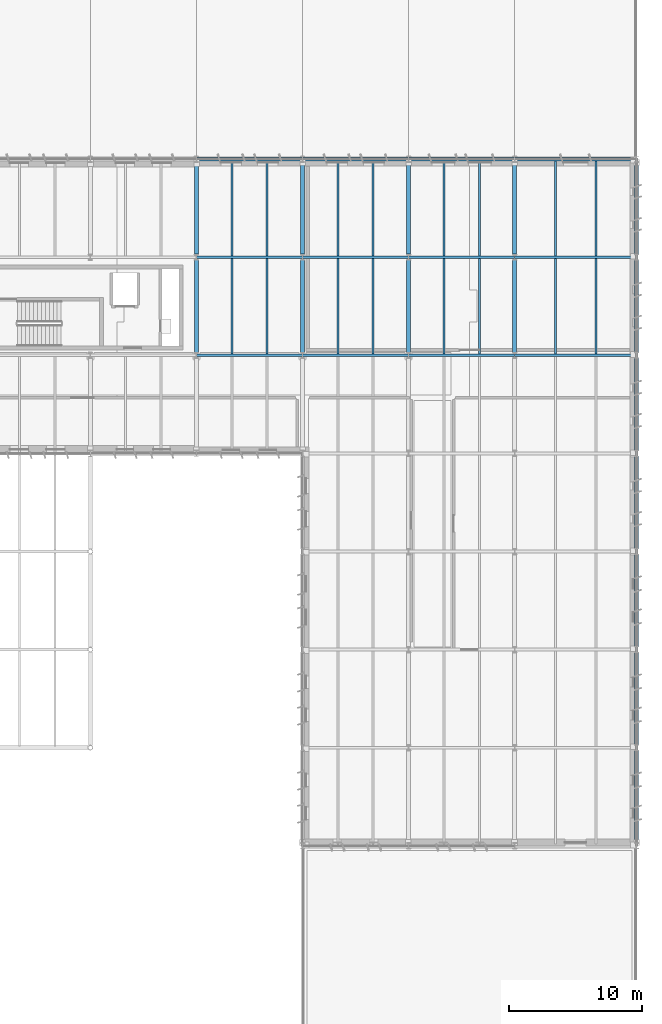
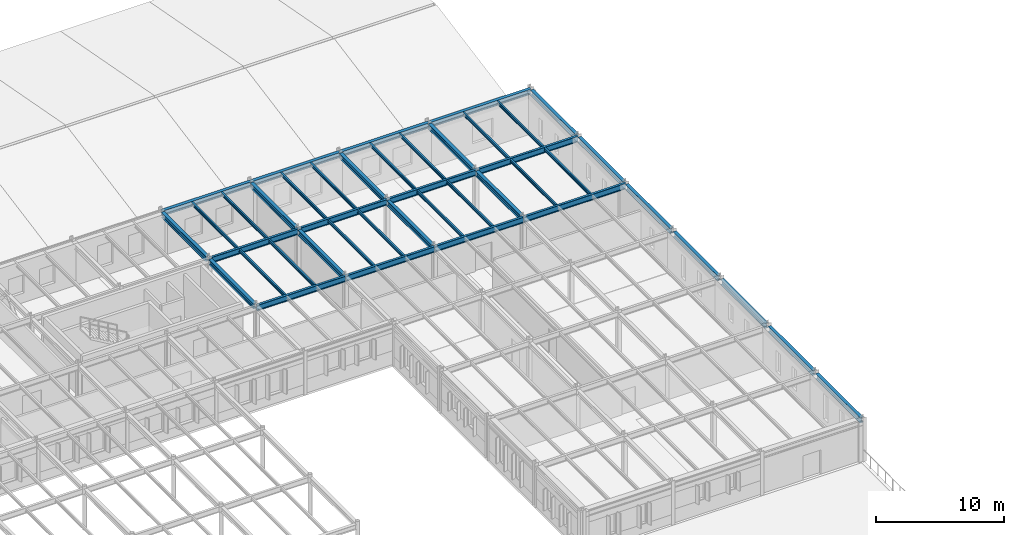
# One storey, part 27 of 63: 43 beams.
"""IFC4 building model written with IfcOpenShell, lengths in metres."""

from ifc_helpers import new_model, si_unit, direction, frame, origin, origin_2d, place, context, subcontext, project, spatial, i_section, extrude, material, material_profile, profile_set, type_object, element, save


model = new_model("IFC4")

# Units and contexts
model_context = context("Model", 3, precision=1e-05, world=origin(), true_north=direction((0.0, 1.0)))
body_context = subcontext(model_context, "Body", "Model", "MODEL_VIEW")
ifc_project = project(units=[si_unit("LENGTHUNIT", "METRE"), si_unit("AREAUNIT", "SQUARE_METRE"), si_unit("VOLUMEUNIT", "CUBIC_METRE"), si_unit("PLANEANGLEUNIT", "RADIAN"), si_unit("MASSUNIT", "GRAM", prefix="KILO")], contexts=[model_context])

# Site, building, storey
site_placement = place(None, origin())
site = spatial("IfcSite", under=ifc_project, at=site_placement, CompositionType="ELEMENT")
building_placement = place(site_placement, origin())
building = spatial("IfcBuilding", under=site, at=building_placement, Name="Valkorina Park Police Headquarters", CompositionType="ELEMENT")
storey_placement = place(building_placement, frame((0.0, 0.0, 9.89990234375)))
storey = spatial("IfcBuildingStorey", under=building, at=storey_placement, Name="L03", CompositionType="ELEMENT", Elevation=9.89990234375)

# Beams
ifc_material = material(Name="Steel S355", Category="steel")
ifc_material_profile_1 = material_profile(ifc_material, i_section(OverallWidth=0.300048828125, OverallDepth=0.489990234375, WebThickness=0.011962890625, FlangeThickness=0.02294921875, FilletRadius=0.027099609375, at=origin_2d()), Name="HEA 500")
ifc_profile_set_1 = profile_set([ifc_material_profile_1], Name="Steel S355")
beam_type_1 = type_object("IfcBeamType", Name="BM-S355-HEA500-BM", PredefinedType="BEAM", material=ifc_profile_set_1)
for number, where, z_axis, x_axis, name in (
    (1, (128.800048828125, 66.824951171875, 3.710205078125), (0.0, 1.0, 0.0), (-1.0, 0.0, 0.0), "L03 Framing Beam 2138"),
    (2, (128.800048828125, 74.22509765625, 3.710205078125), (0.0, 1.0, 0.0), (-1.0, 0.0, 0.0), "L03 Framing Beam 2141"),
    (3, (136.800048828125, 66.824951171875, 3.710205078125), (0.0, 1.0, 0.0), (-1.0, 0.0, 0.0), "L03 Framing Beam 2159"),
    (4, (136.800048828125, 74.22509765625, 3.710205078125), (0.0, 1.0, 0.0), (-1.0, 0.0, 0.0), "L03 Framing Beam 2162"),
    (5, (144.800048828125, 66.824951171875, 3.710205078125), (0.0, 1.0, 0.0), (-1.0, 0.0, 0.0), "L03 Framing Beam 2180"),
    (6, (144.800048828125, 74.22509765625, 3.710205078125), (0.0, 1.0, 0.0), (-1.0, 0.0, 0.0), "L03 Framing Beam 2183"),
    (7, (152.800048828125, 66.824951171875, 3.710205078125), (0.0, 1.0, 0.0), (-1.0, 0.0, 0.0), "L03 Framing Beam 2206"),
    (8, (152.800048828125, 74.22509765625, 3.710205078125), (0.0, 1.0, 0.0), (-1.0, 0.0, 0.0), "L03 Framing Beam 2210"),
):
    element("IfcBeam", number, at=place(storey_placement, frame(where, z_axis=z_axis, x_axis=x_axis)), inside=storey, type_object=beam_type_1, Name=name, PredefinedType="BEAM", context=body_context, shape_type="SweptSolid", body=[
        extrude(i_section(OverallWidth=0.300048828125, OverallDepth=0.489990234375, WebThickness=0.011962890625, FlangeThickness=0.02294921875, FilletRadius=0.027099609375, at=origin_2d()), origin(), (0.0, 0.0, 1.0), 6.949951171875),
    ])
ifc_material_profile_2 = material_profile(ifc_material, i_section(OverallWidth=0.300048828125, OverallDepth=0.489990234375, WebThickness=0.011962890625, FlangeThickness=0.02294921875, FilletRadius=0.027099609375, at=origin_2d()), Name="HEA 500")
ifc_profile_set_2 = profile_set([ifc_material_profile_2], Name="Steel S355")
beam_type_2 = type_object("IfcBeamType", Name="BM-S355-HEA500-SPN", PredefinedType="SPANDREL", material=ifc_profile_set_2)
for number, where, z_axis, x_axis, name in (
    (9, (128.806884765625, 81.39990234375, 3.710205078125), (1.0, 0.0, 0.0), (0.0, 1.0, 0.0), "L03 Framing Beam 1952"),
    (10, (136.806884765625, 81.39990234375, 3.710205078125), (1.0, 0.0, 0.0), (0.0, 1.0, 0.0), "L03 Framing Beam 1953"),
    (11, (144.806884765625, 81.39990234375, 3.710205078125), (1.0, 0.0, 0.0), (0.0, 1.0, 0.0), "L03 Framing Beam 1954"),
):
    element("IfcBeam", number, at=place(storey_placement, frame(where, z_axis=z_axis, x_axis=x_axis)), inside=storey, type_object=beam_type_2, Name=name, PredefinedType="SPANDREL", context=body_context, shape_type="SweptSolid", body=[
        extrude(i_section(OverallWidth=0.300048828125, OverallDepth=0.489990234375, WebThickness=0.011962890625, FlangeThickness=0.02294921875, FilletRadius=0.027099609375, at=origin_2d()), origin(), (0.0, 0.0, 1.0), 7.986083984375),
    ])
beam_1_placement = place(storey_placement, frame((152.806884765625, 81.39990234375, 3.710205078125), z_axis=(1.0, 0.0, 0.0), x_axis=(0.0, 1.0, 0.0)))
element("IfcBeam", 12, at=beam_1_placement, inside=storey, type_object=beam_type_2, Name="L03 Framing Beam 1955", PredefinedType="SPANDREL", context=body_context, shape_type="SweptSolid", body=[
    extrude(i_section(OverallWidth=0.300048828125, OverallDepth=0.489990234375, WebThickness=0.011962890625, FlangeThickness=0.02294921875, FilletRadius=0.027099609375, at=origin_2d()), origin(), (0.0, 0.0, 1.0), 9.18603515625),
])
for number, where, z_axis, x_axis, name in (
    (13, (162.0, 29.824951171875, 3.675048828125), (0.0, 1.0, 0.0), (-1.0, 0.0, 0.0), "L03 Framing Beam 2187"),
    (14, (162.0, 37.22509765625, 3.675048828125), (0.0, 1.0, 0.0), (-1.0, 0.0, 0.0), "L03 Framing Beam 2191"),
    (15, (162.0, 44.625, 3.675048828125), (0.0, 1.0, 0.0), (-1.0, 0.0, 0.0), "L03 Framing Beam 2195"),
):
    element("IfcBeam", number, at=place(storey_placement, frame(where, z_axis=z_axis, x_axis=x_axis)), inside=storey, type_object=beam_type_2, Name=name, PredefinedType="SPANDREL", context=body_context, shape_type="SweptSolid", body=[
        extrude(i_section(OverallWidth=0.300048828125, OverallDepth=0.489990234375, WebThickness=0.011962890625, FlangeThickness=0.02294921875, FilletRadius=0.027099609375, at=origin_2d()), origin(), (0.0, 0.0, 1.0), 6.949951171875),
    ])
beam_2_placement = place(storey_placement, frame((162.0, 52.02490234375, 3.710205078125), z_axis=(0.0, 1.0, 0.0), x_axis=(-1.0, 0.0, 0.0)))
element("IfcBeam", 16, at=beam_2_placement, inside=storey, type_object=beam_type_2, Name="L03 Framing Beam 2199", PredefinedType="SPANDREL", context=body_context, shape_type="SweptSolid", body=[
    extrude(i_section(OverallWidth=0.300048828125, OverallDepth=0.489990234375, WebThickness=0.011962890625, FlangeThickness=0.02294921875, FilletRadius=0.027099609375, at=origin_2d()), origin(), (0.0, 0.0, 1.0), 6.9501953125),
])
for number, where, z_axis, x_axis, name in (
    (17, (162.0, 59.425048828125, 3.710205078125), (0.0, 1.0, 0.0), (-1.0, 0.0, 0.0), "L03 Framing Beam 2203"),
    (18, (162.0, 66.824951171875, 3.710205078125), (0.0, 1.0, 0.0), (-1.0, 0.0, 0.0), "L03 Framing Beam 2207"),
    (19, (162.0, 74.22509765625, 3.710205078125), (0.0, 1.0, 0.0), (-1.0, 0.0, 0.0), "L03 Framing Beam 2211"),
):
    element("IfcBeam", number, at=place(storey_placement, frame(where, z_axis=z_axis, x_axis=x_axis)), inside=storey, type_object=beam_type_2, Name=name, PredefinedType="SPANDREL", context=body_context, shape_type="SweptSolid", body=[
        extrude(i_section(OverallWidth=0.300048828125, OverallDepth=0.489990234375, WebThickness=0.011962890625, FlangeThickness=0.02294921875, FilletRadius=0.027099609375, at=origin_2d()), origin(), (0.0, 0.0, 1.0), 6.949951171875),
    ])
ifc_material_profile_3 = material_profile(ifc_material, i_section(OverallWidth=0.14990234375, OverallDepth=0.300048828125, WebThickness=0.007080078125, FlangeThickness=0.0107421875, FilletRadius=0.014892578125, at=origin_2d()), Name="IPE 300")
ifc_profile_set_3 = profile_set([ifc_material_profile_3], Name="Steel S355")
beam_type_3 = type_object("IfcBeamType", Name="BM-S355-IPE300-JST", PredefinedType="JOIST", material=ifc_profile_set_3)
for number, where, z_axis, x_axis, name in (
    (20, (131.466796875, 66.705078125, 3.80517578125), (0.0, 1.0, 0.0), (-1.0, 0.0, 0.0), "L03 Framing Beam 2139"),
    (21, (134.13330078125, 66.705078125, 3.80517578125), (0.0, 1.0, 0.0), (-1.0, 0.0, 0.0), "L03 Framing Beam 2140"),
):
    element("IfcBeam", number, at=place(storey_placement, frame(where, z_axis=z_axis, x_axis=x_axis)), inside=storey, type_object=beam_type_3, Name=name, PredefinedType="JOIST", context=body_context, shape_type="SweptSolid", body=[
        extrude(i_section(OverallWidth=0.14990234375, OverallDepth=0.300048828125, WebThickness=0.007080078125, FlangeThickness=0.0107421875, FilletRadius=0.014892578125, at=origin_2d()), origin(), (0.0, 0.0, 1.0), 7.18994140625),
    ])
for number, where, z_axis, x_axis, name in (
    (22, (131.466796875, 74.10498046875, 3.80517578125), (0.0, 1.0, 0.0), (-1.0, 0.0, 0.0), "L03 Framing Beam 2142"),
    (23, (134.13330078125, 74.10498046875, 3.80517578125), (0.0, 1.0, 0.0), (-1.0, 0.0, 0.0), "L03 Framing Beam 2143"),
):
    element("IfcBeam", number, at=place(storey_placement, frame(where, z_axis=z_axis, x_axis=x_axis)), inside=storey, type_object=beam_type_3, Name=name, PredefinedType="JOIST", context=body_context, shape_type="SweptSolid", body=[
        extrude(i_section(OverallWidth=0.14990234375, OverallDepth=0.300048828125, WebThickness=0.007080078125, FlangeThickness=0.0107421875, FilletRadius=0.014892578125, at=origin_2d()), origin(), (0.0, 0.0, 1.0), 7.14501953125),
    ])
for number, where, z_axis, x_axis, name in (
    (24, (139.466796875, 66.705078125, 3.80517578125), (0.0, 1.0, 0.0), (-1.0, 0.0, 0.0), "L03 Framing Beam 2160"),
    (25, (142.13330078125, 66.705078125, 3.80517578125), (0.0, 1.0, 0.0), (-1.0, 0.0, 0.0), "L03 Framing Beam 2161"),
):
    element("IfcBeam", number, at=place(storey_placement, frame(where, z_axis=z_axis, x_axis=x_axis)), inside=storey, type_object=beam_type_3, Name=name, PredefinedType="JOIST", context=body_context, shape_type="SweptSolid", body=[
        extrude(i_section(OverallWidth=0.14990234375, OverallDepth=0.300048828125, WebThickness=0.007080078125, FlangeThickness=0.0107421875, FilletRadius=0.014892578125, at=origin_2d()), origin(), (0.0, 0.0, 1.0), 7.18994140625),
    ])
for number, where, z_axis, x_axis, name in (
    (26, (139.466796875, 74.10498046875, 3.80517578125), (0.0, 1.0, 0.0), (-1.0, 0.0, 0.0), "L03 Framing Beam 2163"),
    (27, (142.13330078125, 74.10498046875, 3.80517578125), (0.0, 1.0, 0.0), (-1.0, 0.0, 0.0), "L03 Framing Beam 2164"),
):
    element("IfcBeam", number, at=place(storey_placement, frame(where, z_axis=z_axis, x_axis=x_axis)), inside=storey, type_object=beam_type_3, Name=name, PredefinedType="JOIST", context=body_context, shape_type="SweptSolid", body=[
        extrude(i_section(OverallWidth=0.14990234375, OverallDepth=0.300048828125, WebThickness=0.007080078125, FlangeThickness=0.0107421875, FilletRadius=0.014892578125, at=origin_2d()), origin(), (0.0, 0.0, 1.0), 7.14501953125),
    ])
for number, where, z_axis, x_axis, name in (
    (28, (147.466796875, 66.705078125, 3.80517578125), (0.0, 1.0, 0.0), (-1.0, 0.0, 0.0), "L03 Framing Beam 2181"),
    (29, (150.13330078125, 66.705078125, 3.80517578125), (0.0, 1.0, 0.0), (-1.0, 0.0, 0.0), "L03 Framing Beam 2182"),
):
    element("IfcBeam", number, at=place(storey_placement, frame(where, z_axis=z_axis, x_axis=x_axis)), inside=storey, type_object=beam_type_3, Name=name, PredefinedType="JOIST", context=body_context, shape_type="SweptSolid", body=[
        extrude(i_section(OverallWidth=0.14990234375, OverallDepth=0.300048828125, WebThickness=0.007080078125, FlangeThickness=0.0107421875, FilletRadius=0.014892578125, at=origin_2d()), origin(), (0.0, 0.0, 1.0), 7.18994140625),
    ])
for number, where, z_axis, x_axis, name in (
    (30, (147.466796875, 74.10498046875, 3.80517578125), (0.0, 1.0, 0.0), (-1.0, 0.0, 0.0), "L03 Framing Beam 2184"),
    (31, (150.13330078125, 74.10498046875, 3.80517578125), (0.0, 1.0, 0.0), (-1.0, 0.0, 0.0), "L03 Framing Beam 2185"),
):
    element("IfcBeam", number, at=place(storey_placement, frame(where, z_axis=z_axis, x_axis=x_axis)), inside=storey, type_object=beam_type_3, Name=name, PredefinedType="JOIST", context=body_context, shape_type="SweptSolid", body=[
        extrude(i_section(OverallWidth=0.14990234375, OverallDepth=0.300048828125, WebThickness=0.007080078125, FlangeThickness=0.0107421875, FilletRadius=0.014892578125, at=origin_2d()), origin(), (0.0, 0.0, 1.0), 7.14501953125),
    ])
for number, where, z_axis, x_axis, name in (
    (32, (155.86669921875, 66.705078125, 3.80517578125), (0.0, 1.0, 0.0), (-1.0, 0.0, 0.0), "L03 Framing Beam 2208"),
    (33, (158.933349609375, 66.705078125, 3.80517578125), (0.0, 1.0, 0.0), (-1.0, 0.0, 0.0), "L03 Framing Beam 2209"),
):
    element("IfcBeam", number, at=place(storey_placement, frame(where, z_axis=z_axis, x_axis=x_axis)), inside=storey, type_object=beam_type_3, Name=name, PredefinedType="JOIST", context=body_context, shape_type="SweptSolid", body=[
        extrude(i_section(OverallWidth=0.14990234375, OverallDepth=0.300048828125, WebThickness=0.007080078125, FlangeThickness=0.0107421875, FilletRadius=0.014892578125, at=origin_2d()), origin(), (0.0, 0.0, 1.0), 7.18994140625),
    ])
for number, where, z_axis, x_axis, name in (
    (34, (155.86669921875, 74.10498046875, 3.80517578125), (0.0, 1.0, 0.0), (-1.0, 0.0, 0.0), "L03 Framing Beam 2212"),
    (35, (158.933349609375, 74.10498046875, 3.80517578125), (0.0, 1.0, 0.0), (-1.0, 0.0, 0.0), "L03 Framing Beam 2213"),
):
    element("IfcBeam", number, at=place(storey_placement, frame(where, z_axis=z_axis, x_axis=x_axis)), inside=storey, type_object=beam_type_3, Name=name, PredefinedType="JOIST", context=body_context, shape_type="SweptSolid", body=[
        extrude(i_section(OverallWidth=0.14990234375, OverallDepth=0.300048828125, WebThickness=0.007080078125, FlangeThickness=0.0107421875, FilletRadius=0.014892578125, at=origin_2d()), origin(), (0.0, 0.0, 1.0), 7.14501953125),
    ])
ifc_material_profile_4 = material_profile(ifc_material, i_section(OverallWidth=0.2099609375, OverallDepth=0.550048828125, WebThickness=0.010986328125, FlangeThickness=0.01708984375, FilletRadius=0.02392578125, at=origin_2d()), Name="IPE 550")
ifc_profile_set_4 = profile_set([ifc_material_profile_4], Name="Steel S355")
beam_type_4 = type_object("IfcBeamType", Name="BM-S355-IPE550-BM", PredefinedType="BEAM", material=ifc_profile_set_4)
for number, where, z_axis, x_axis, name in (
    (36, (128.806884765625, 66.60009765625, 3.68017578125), (1.0, 0.0, 0.0), (0.0, 1.0, 0.0), "L03 Framing Beam 1926"),
    (37, (136.806884765625, 66.60009765625, 3.68017578125), (1.0, 0.0, 0.0), (0.0, 1.0, 0.0), "L03 Framing Beam 1927"),
    (38, (144.806884765625, 66.60009765625, 3.68017578125), (1.0, 0.0, 0.0), (0.0, 1.0, 0.0), "L03 Framing Beam 1928"),
):
    element("IfcBeam", number, at=place(storey_placement, frame(where, z_axis=z_axis, x_axis=x_axis)), inside=storey, type_object=beam_type_4, Name=name, PredefinedType="BEAM", context=body_context, shape_type="SweptSolid", body=[
        extrude(i_section(OverallWidth=0.2099609375, OverallDepth=0.550048828125, WebThickness=0.010986328125, FlangeThickness=0.01708984375, FilletRadius=0.02392578125, at=origin_2d()), origin(), (0.0, 0.0, 1.0), 7.986083984375),
    ])
beam_3_placement = place(storey_placement, frame((152.806884765625, 66.60009765625, 3.68017578125), z_axis=(1.0, 0.0, 0.0), x_axis=(0.0, 1.0, 0.0)))
element("IfcBeam", 39, at=beam_3_placement, inside=storey, type_object=beam_type_4, Name="L03 Framing Beam 1929", PredefinedType="BEAM", context=body_context, shape_type="SweptSolid", body=[
    extrude(i_section(OverallWidth=0.2099609375, OverallDepth=0.550048828125, WebThickness=0.010986328125, FlangeThickness=0.01708984375, FilletRadius=0.02392578125, at=origin_2d()), origin(), (0.0, 0.0, 1.0), 9.18603515625),
])
for number, where, z_axis, x_axis, name in (
    (40, (128.806884765625, 74.0, 3.68017578125), (1.0, 0.0, 0.0), (0.0, 1.0, 0.0), "L03 Framing Beam 1939"),
    (41, (136.806884765625, 74.0, 3.68017578125), (1.0, 0.0, 0.0), (0.0, 1.0, 0.0), "L03 Framing Beam 1940"),
    (42, (144.806884765625, 74.0, 3.68017578125), (1.0, 0.0, 0.0), (0.0, 1.0, 0.0), "L03 Framing Beam 1941"),
):
    element("IfcBeam", number, at=place(storey_placement, frame(where, z_axis=z_axis, x_axis=x_axis)), inside=storey, type_object=beam_type_4, Name=name, PredefinedType="BEAM", context=body_context, shape_type="SweptSolid", body=[
        extrude(i_section(OverallWidth=0.2099609375, OverallDepth=0.550048828125, WebThickness=0.010986328125, FlangeThickness=0.01708984375, FilletRadius=0.02392578125, at=origin_2d()), origin(), (0.0, 0.0, 1.0), 7.986083984375),
    ])
beam_4_placement = place(storey_placement, frame((152.806884765625, 74.0, 3.68017578125), z_axis=(1.0, 0.0, 0.0), x_axis=(0.0, 1.0, 0.0)))
element("IfcBeam", 43, at=beam_4_placement, inside=storey, type_object=beam_type_4, Name="L03 Framing Beam 1942", PredefinedType="BEAM", context=body_context, shape_type="SweptSolid", body=[
    extrude(i_section(OverallWidth=0.2099609375, OverallDepth=0.550048828125, WebThickness=0.010986328125, FlangeThickness=0.01708984375, FilletRadius=0.02392578125, at=origin_2d()), origin(), (0.0, 0.0, 1.0), 9.18603515625),
])

save(model, "model.ifc")
